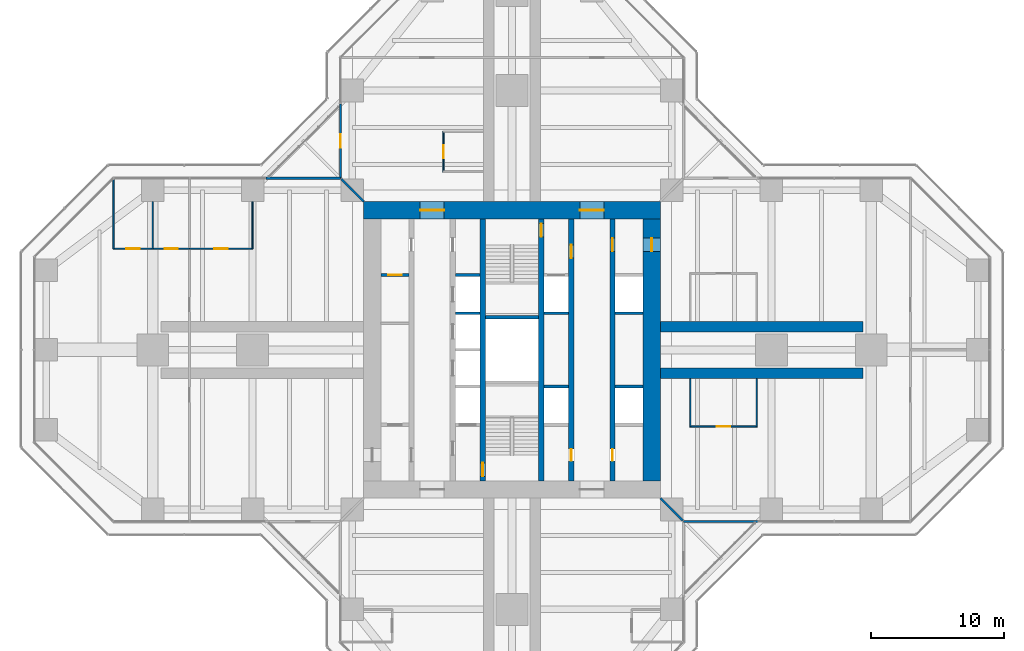
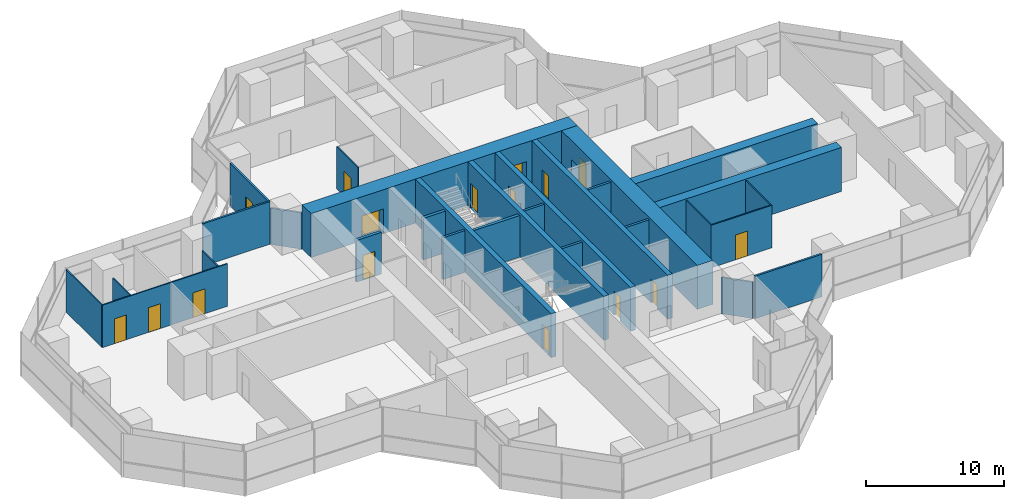
# One storey, part 16 of 19: 30 walls, 16 doors, 16 openings.
"""IFC4 building model written with IfcOpenShell, lengths in metres."""

import ifcopenshell
import ifcopenshell.guid

model = None  # the IFC model being written
_history = None  # IfcOwnerHistory: only IFC2X3 demands one
_inside = {}  # id of a spatial element -> (the spatial element, [elements in it])
_under = {}  # id of a project, library or spatial element -> (it, [spatial elements below it])
_declared = {}  # id of a project -> (the project, [libraries it declares])
_typed = {}  # id of a type object -> (the type object, [elements of that type])
_made_of = {}  # id of a material, layer set ... -> (it, [elements and type objects made of it])


def new_model(schema):
    """Start an empty IFC model of exactly this schema.

    Asked for "IFC4X3", IfcOpenShell would pick the latest addendum, in which some entities
    have other attributes; the version numbers below select the first issue.
    IFC2X3 requires an IfcOwnerHistory on every rooted entity: one is made here for all.
    """
    global model, _history
    if schema == "IFC4X3":
        model = ifcopenshell.file(schema_version=(4, 3, 0, 0))
    else:
        model = ifcopenshell.file(schema=schema)
    _inside.clear()
    _under.clear()
    _declared.clear()
    _typed.clear()
    _made_of.clear()
    _history = None
    if model.schema == "IFC2X3":
        org = make("IfcOrganization", Name="unknown")
        user = make(
            "IfcPersonAndOrganization",
            ThePerson=make("IfcPerson", FamilyName="unknown"),
            TheOrganization=org,
        )
        app = make(
            "IfcApplication",
            ApplicationDeveloper=org,
            Version="unknown",
            ApplicationFullName="unknown",
            ApplicationIdentifier="unknown",
        )
        _history = make(
            "IfcOwnerHistory",
            OwningUser=user,
            OwningApplication=app,
            ChangeAction="ADDED",
            CreationDate=0,
        )
    return model


def make(cls, **values):
    """One entity of the class cls with the attributes given. An attribute that is None is left unset."""
    return model.create_entity(
        cls, **{name: value for name, value in values.items() if value is not None}
    )


def rooted(cls, **values):
    """An entity with a GlobalId (a new one), such as an element, a storey or a relation."""
    return make(cls, GlobalId=ifcopenshell.guid.new(), OwnerHistory=_history, **values)


def si_unit(unit_type, name, prefix=None):
    """IfcSIUnit, for example si_unit("LENGTHUNIT", "METRE", prefix="MILLI")."""
    return make("IfcSIUnit", UnitType=unit_type, Prefix=prefix, Name=name)


def assignment(units):
    """IfcUnitAssignment: the units of a project."""
    return None if units is None else make("IfcUnitAssignment", Units=units)


def point(xyz):
    """IfcCartesianPoint."""
    return None if xyz is None else make("IfcCartesianPoint", Coordinates=xyz)


def direction(xyz):
    """IfcDirection."""
    return None if xyz is None else make("IfcDirection", DirectionRatios=xyz)


def frame(location, z_axis=None, x_axis=None):
    """IfcAxis2Placement3D, a coordinate frame: its origin and axes. An axis left out is left unset."""
    return make(
        "IfcAxis2Placement3D",
        Location=point(location),
        Axis=direction(z_axis),
        RefDirection=direction(x_axis),
    )


def frame_2d(location, x_axis=None):
    """IfcAxis2Placement2D, a coordinate frame in the plane: its origin and x axis."""
    return make(
        "IfcAxis2Placement2D", Location=point(location), RefDirection=direction(x_axis)
    )


def origin():
    """The frame at (0, 0, 0) with its axes left unset."""
    return frame((0.0, 0.0, 0.0))


def place(relative_to, where):
    """IfcLocalPlacement: puts the frame where relative to a parent placement (None: the world)."""
    return make(
        "IfcLocalPlacement", PlacementRelTo=relative_to, RelativePlacement=where
    )


def context(
    kind, dimensions, precision=None, world=None, true_north=None, identifier=None
):
    """IfcGeometricRepresentationContext, for example the 3D "Model" context."""
    return make(
        "IfcGeometricRepresentationContext",
        ContextIdentifier=identifier,
        ContextType=kind,
        CoordinateSpaceDimension=dimensions,
        Precision=precision,
        WorldCoordinateSystem=world,
        TrueNorth=true_north,
    )


def subcontext(parent, identifier, kind, view, scale=None):
    """IfcGeometricRepresentationSubContext, for example "Body" below "Model"."""
    return make(
        "IfcGeometricRepresentationSubContext",
        ContextIdentifier=identifier,
        ContextType=kind,
        ParentContext=parent,
        TargetScale=scale,
        TargetView=view,
    )


def project(units=None, contexts=None):
    """IfcProject with its units and contexts."""
    return rooted(
        "IfcProject",
        Name="project",
        RepresentationContexts=contexts,
        UnitsInContext=assignment(units),
    )


def spatial(cls, under=None, at=None, **own):
    """A site, building, storey or space (cls), placed at a placement, below another one or the project."""
    s = rooted(cls, ObjectPlacement=at, **own)
    if under is not None:
        _under.setdefault(under.id(), (under, []))[1].append(s)
    return s


def profile(cls, at=None, kind="AREA", **sizes):
    """A parametric profile (cls). Its sizes go by their IFC names, for example OverallWidth=200.0."""
    return make(cls, ProfileType=kind, Position=at, **sizes)


def rectangle(**sizes):
    """IfcRectangleProfileDef."""
    return profile("IfcRectangleProfileDef", **sizes)


def extrude(swept, where, along, depth):
    """IfcExtrudedAreaSolid: the profile swept, set in the frame where, extruded along a direction by depth."""
    return make(
        "IfcExtrudedAreaSolid",
        SweptArea=swept,
        Position=where,
        ExtrudedDirection=direction(along),
        Depth=depth,
    )


def shape(context_of_items, identifier, shape_type, items):
    """IfcShapeRepresentation: the items that make up one representation, for example the "Body"."""
    return make(
        "IfcShapeRepresentation",
        ContextOfItems=context_of_items,
        RepresentationIdentifier=identifier,
        RepresentationType=shape_type,
        Items=items,
    )


def material(Name=None, Category=None):
    """IfcMaterial."""
    return make("IfcMaterial", Name=Name, Category=Category)


def layer(
    of_material, thickness, ventilated=None, Name=None, Category=None, Priority=None
):
    """IfcMaterialLayer: one layer of a wall or slab, of a material (None: an air gap)."""
    return make(
        "IfcMaterialLayer",
        Material=of_material,
        LayerThickness=thickness,
        IsVentilated=ventilated,
        Name=Name,
        Category=Category,
        Priority=Priority,
    )


def layer_set(layers, Name=None):
    """IfcMaterialLayerSet."""
    return make("IfcMaterialLayerSet", MaterialLayers=layers, LayerSetName=Name)


def made_of(thing, what):
    """Note that an element or type object is made of a material, layer set ...; save() writes the relation."""
    if what is not None:
        _made_of.setdefault(what.id(), (what, []))[1].append(thing)
    return thing


def type_object(cls, material=None, **own):
    """A type object (cls), such as IfcWallType, which elements share."""
    return made_of(rooted(cls, **own), material)


def element(
    cls,
    number,
    at=None,
    inside=None,
    cuts=None,
    type_object=None,
    material=None,
    context=None,
    identifier="Body",
    shape_type=None,
    held_by="IfcProductDefinitionShape",
    body=None,
    shapes=None,
    **own,
):
    """One element of the class cls, such as IfcWall. Its Tag is "e" and its number.

    at: its placement. inside: the storey or other place that contains it. cuts: it is an
    opening in that element (IfcRelVoidsElement). A single representation is given by context,
    identifier, shape_type and body (its items); several are given by shapes. held_by: the class
    of the entity that holds the representations. save() writes the other relations.
    """
    e = rooted(cls, Tag="e%d" % number, ObjectPlacement=at, **own)
    if body is not None:
        shapes = [shape(context, identifier, shape_type, body)]
    if shapes is not None:
        e.Representation = make(held_by, Representations=shapes)
    if inside is not None:
        _inside.setdefault(inside.id(), (inside, []))[1].append(e)
    if cuts is not None:
        rooted(
            "IfcRelVoidsElement", RelatingBuildingElement=cuts, RelatedOpeningElement=e
        )
    if type_object is not None:
        _typed.setdefault(type_object.id(), (type_object, []))[1].append(e)
    return made_of(e, material)


def fill(opening, filler):
    """IfcRelFillsElement: the door or window that sits in an opening."""
    return rooted(
        "IfcRelFillsElement",
        RelatingOpeningElement=opening,
        RelatedBuildingElement=filler,
    )


def aggregate(whole, parts):
    """IfcRelAggregates: a whole, such as a stair, and the parts it consists of."""
    return rooted("IfcRelAggregates", RelatingObject=whole, RelatedObjects=parts)


def save(model, path):
    """Write the relations noted so far, then the file.

    IfcRelAggregates (storeys below a building ...), IfcRelContainedInSpatialStructure (elements
    in a storey), IfcRelDefinesByType, IfcRelAssociatesMaterial and IfcRelDeclares: one each for
    every whole, place, type object, material and project.
    """
    for whole, parts in _under.values():
        aggregate(whole, parts)
    for where, things in _inside.values():
        rooted(
            "IfcRelContainedInSpatialStructure",
            RelatedElements=things,
            RelatingStructure=where,
        )
    for kind, things in _typed.values():
        rooted("IfcRelDefinesByType", RelatedObjects=things, RelatingType=kind)
    for what, things in _made_of.values():
        rooted("IfcRelAssociatesMaterial", RelatedObjects=things, RelatingMaterial=what)
    for by, libraries in _declared.values():
        rooted("IfcRelDeclares", RelatingContext=by, RelatedDefinitions=libraries)
    model.write(path)


model = new_model("IFC4")

# Units and contexts
model_context = context("Model", 3, precision=1e-05, world=origin(), true_north=direction((0.0, 1.0)))
body_context = subcontext(model_context, "Body", "Model", "MODEL_VIEW")
ifc_project = project(units=[si_unit("LENGTHUNIT", "METRE"), si_unit("AREAUNIT", "SQUARE_METRE"), si_unit("VOLUMEUNIT", "CUBIC_METRE"), si_unit("PLANEANGLEUNIT", "RADIAN"), si_unit("MASSUNIT", "GRAM", prefix="KILO")], contexts=[model_context])

# Site, building, storey
site_placement = place(None, origin())
site = spatial("IfcSite", under=ifc_project, at=site_placement, CompositionType="ELEMENT")
building_placement = place(site_placement, origin())
building = spatial("IfcBuilding", under=site, at=building_placement, Name="Mizan Broadcast Tower", CompositionType="ELEMENT")
storey_placement = place(building_placement, frame((0.0, 0.0, 159.300048828125)))
storey = spatial("IfcBuildingStorey", under=building, at=storey_placement, Name="L36", CompositionType="ELEMENT", Elevation=159.300048828125)

# Wall, openings, doors
ifc_material_1 = material(Name="Concrete C70/85", Category="concrete")
ifc_layer_1 = layer(ifc_material_1, 0.39990234375)
ifc_layer_set_1 = layer_set([ifc_layer_1], Name="Concrete C70/85")
wall_type_1 = type_object("IfcWallType", Name="CORE INTERNAL WALL 400", PredefinedType="SHEAR", material=ifc_layer_set_1)
wall_1_placement = place(storey_placement, frame((7.550048828125, 9.85009765625, 0.0), z_axis=(0.0, 0.0, 1.0), x_axis=(0.0, -1.0, 0.0)))
wall_1 = element("IfcWall", 1, at=wall_1_placement, inside=storey, type_object=wall_type_1, Name="Core wall CORE/XW1E", PredefinedType="SHEAR", context=body_context, shape_type="SweptSolid", body=[
    extrude(rectangle(XDim=19.7001953125, YDim=0.39990234375, at=frame_2d((9.85009765625, 0.0))), origin(), (0.0, 0.0, 1.0), 3.89990234375),
])
opening_1_placement = place(wall_1_placement, frame((1.449951171875, 0.0, 0.0)))
opening_1 = element("IfcOpeningElement", 2, at=opening_1_placement, cuts=wall_1, Name="Opening D10F", PredefinedType="OPENING", context=body_context, shape_type="SweptSolid", body=[
    extrude(rectangle(XDim=1.0, YDim=2.199951171875, at=frame_2d((0.5, 1.10009765625))), frame((0.0, 0.2099609375, 0.0), z_axis=(0.0, -1.0, 0.0), x_axis=(1.0, 0.0, 0.0)), (0.0, 0.0, 1.0), 0.419921875),
])
opening_2_placement = place(wall_1_placement, frame((17.300048828125, 0.0, 0.0)))
opening_2 = element("IfcOpeningElement", 3, at=opening_2_placement, cuts=wall_1, Name="Opening D09", PredefinedType="OPENING", context=body_context, shape_type="SweptSolid", body=[
    extrude(rectangle(XDim=0.89990234375, YDim=2.10009765625, at=frame_2d((0.449951171875, 1.050048828125))), frame((0.0, 0.2099609375, 0.0), z_axis=(0.0, -1.0, 0.0), x_axis=(1.0, 0.0, 0.0)), (0.0, 0.0, 1.0), 0.419921875),
])
ifc_material_2 = material(Name="Steel door leaf in steel frame", Category="steel")
door_type_1 = type_object("IfcDoorType", Name="FIRE DOOR 1000 FD90", OperationType="SINGLE_SWING_LEFT", PredefinedType="DOOR", material=ifc_material_2)
door_1_placement = place(opening_1_placement, origin())
door_1 = element("IfcDoor", 4, at=door_1_placement, inside=storey, type_object=door_type_1, Name="East core passage door", OperationType="SINGLE_SWING_LEFT", OverallHeight=2.199951171875, OverallWidth=1.0, PredefinedType="DOOR", context=body_context, shape_type="SweptSolid", body=[
    extrude(rectangle(XDim=1.0, YDim=2.199951171875, at=frame_2d((0.5, 1.10009765625))), frame((0.0, 0.02490234375, 0.0), z_axis=(0.0, -1.0, 0.0), x_axis=(1.0, 0.0, 0.0)), (0.0, 0.0, 1.0), 0.050048828125),
])
fill(opening_1, door_1)
ifc_material_3 = material(Name="Timber door leaf in aluminium frame", Category="wood")
door_type_2 = type_object("IfcDoorType", Name="TOILET DOOR 900", OperationType="SINGLE_SWING_LEFT", PredefinedType="DOOR", material=ifc_material_3)
door_2_placement = place(opening_2_placement, origin())
door_2 = element("IfcDoor", 5, at=door_2_placement, inside=storey, type_object=door_type_2, Name="Female WC door", OperationType="SINGLE_SWING_RIGHT", OverallHeight=2.10009765625, OverallWidth=0.89990234375, PredefinedType="DOOR", context=body_context, shape_type="SweptSolid", body=[
    extrude(rectangle(XDim=0.89990234375, YDim=2.10009765625, at=frame_2d((0.449951171875, 1.050048828125))), frame((0.0, 0.02490234375, 0.0), z_axis=(0.0, -1.0, 0.0), x_axis=(1.0, 0.0, 0.0)), (0.0, 0.0, 1.0), 0.050048828125),
])
fill(opening_2, door_2)

wall_2_placement = place(storey_placement, frame((4.449951171875, 9.85009765625, 0.0), z_axis=(0.0, 0.0, 1.0), x_axis=(0.0, -1.0, 0.0)))
wall_2 = element("IfcWall", 6, at=wall_2_placement, inside=storey, type_object=wall_type_1, Name="Core wall CORE/XWHE", PredefinedType="SHEAR", context=body_context, shape_type="SweptSolid", body=[
    extrude(rectangle(XDim=19.7001953125, YDim=0.39990234375, at=frame_2d((9.85009765625, 0.0))), origin(), (0.0, 0.0, 1.0), 3.89990234375),
])
opening_3_placement = place(wall_2_placement, frame((1.949951171875, 0.0, 0.0)))
opening_3 = element("IfcOpeningElement", 7, at=opening_3_placement, cuts=wall_2, Name="Opening D10F", PredefinedType="OPENING", context=body_context, shape_type="SweptSolid", body=[
    extrude(rectangle(XDim=1.0, YDim=2.199951171875, at=frame_2d((0.5, 1.10009765625))), frame((0.0, 0.2099609375, 0.0), z_axis=(0.0, -1.0, 0.0), x_axis=(1.0, 0.0, 0.0)), (0.0, 0.0, 1.0), 0.419921875),
])
opening_4_placement = place(wall_2_placement, frame((17.300048828125, 0.0, 0.0)))
opening_4 = element("IfcOpeningElement", 8, at=opening_4_placement, cuts=wall_2, Name="Opening D09", PredefinedType="OPENING", context=body_context, shape_type="SweptSolid", body=[
    extrude(rectangle(XDim=0.89990234375, YDim=2.10009765625, at=frame_2d((0.449951171875, 1.050048828125))), frame((0.0, 0.2099609375, 0.0), z_axis=(0.0, -1.0, 0.0), x_axis=(1.0, 0.0, 0.0)), (0.0, 0.0, 1.0), 0.419921875),
])
door_3_placement = place(opening_3_placement, origin())
door_3 = element("IfcDoor", 9, at=door_3_placement, inside=storey, type_object=door_type_1, Name="Firefighting lobby B door", OperationType="SINGLE_SWING_LEFT", OverallHeight=2.199951171875, OverallWidth=1.0, PredefinedType="DOOR", context=body_context, shape_type="SweptSolid", body=[
    extrude(rectangle(XDim=1.0, YDim=2.199951171875, at=frame_2d((0.5, 1.10009765625))), frame((0.0, 0.02490234375, 0.0), z_axis=(0.0, -1.0, 0.0), x_axis=(1.0, 0.0, 0.0)), (0.0, 0.0, 1.0), 0.050048828125),
])
fill(opening_3, door_3)
door_4_placement = place(opening_4_placement, origin())
door_4 = element("IfcDoor", 10, at=door_4_placement, inside=storey, type_object=door_type_2, Name="Cleaner's store door", OperationType="SINGLE_SWING_RIGHT", OverallHeight=2.10009765625, OverallWidth=0.89990234375, PredefinedType="DOOR", context=body_context, shape_type="SweptSolid", body=[
    extrude(rectangle(XDim=0.89990234375, YDim=2.10009765625, at=frame_2d((0.449951171875, 1.050048828125))), frame((0.0, 0.02490234375, 0.0), z_axis=(0.0, -1.0, 0.0), x_axis=(1.0, 0.0, 0.0)), (0.0, 0.0, 1.0), 0.050048828125),
])
fill(opening_4, door_4)

# Wall, opening, door
wall_3_placement = place(storey_placement, frame((-2.199951171875, -9.85009765625, 0.0), z_axis=(0.0, 0.0, 1.0), x_axis=(0.0, 1.0, 0.0)))
wall_3 = element("IfcWall", 11, at=wall_3_placement, inside=storey, type_object=wall_type_1, Name="Core wall CORE/XW2", PredefinedType="SHEAR", context=body_context, shape_type="SweptSolid", body=[
    extrude(rectangle(XDim=19.7001953125, YDim=0.39990234375, at=frame_2d((9.85009765625, 0.0))), origin(), (0.0, 0.0, 1.0), 3.89990234375),
])
opening_5_placement = place(wall_3_placement, frame((0.35009765625, 0.0, 0.0)))
opening_5 = element("IfcOpeningElement", 12, at=opening_5_placement, cuts=wall_3, Name="Opening D10S", PredefinedType="OPENING", context=body_context, shape_type="SweptSolid", body=[
    extrude(rectangle(XDim=1.0, YDim=2.199951171875, at=frame_2d((0.5, 1.10009765625))), frame((0.0, 0.2099609375, 0.0), z_axis=(0.0, -1.0, 0.0), x_axis=(1.0, 0.0, 0.0)), (0.0, 0.0, 1.0), 0.419921875),
])
ifc_material_4 = material(Name="Steel door leaf in steel frame", Category="steel")
door_type_3 = type_object("IfcDoorType", Name="STAIR DOOR 1000 FD90S", OperationType="SINGLE_SWING_RIGHT", PredefinedType="DOOR", material=ifc_material_4)
door_5_placement = place(opening_5_placement, origin())
door_5 = element("IfcDoor", 13, at=door_5_placement, inside=storey, type_object=door_type_3, Name="Stair A door", OperationType="SINGLE_SWING_RIGHT", OverallHeight=2.199951171875, OverallWidth=1.0, PredefinedType="DOOR", context=body_context, shape_type="SweptSolid", body=[
    extrude(rectangle(XDim=1.0, YDim=2.199951171875, at=frame_2d((0.5, 1.10009765625))), frame((0.0, 0.02490234375, 0.0), z_axis=(0.0, -1.0, 0.0), x_axis=(1.0, 0.0, 0.0)), (0.0, 0.0, 1.0), 0.050048828125),
])
fill(opening_5, door_5)

wall_4_placement = place(storey_placement, frame((2.199951171875, 9.85009765625, 0.0), z_axis=(0.0, 0.0, 1.0), x_axis=(0.0, -1.0, 0.0)))
wall_4 = element("IfcWall", 14, at=wall_4_placement, inside=storey, type_object=wall_type_1, Name="Core wall CORE/XW2E", PredefinedType="SHEAR", context=body_context, shape_type="SweptSolid", body=[
    extrude(rectangle(XDim=19.7001953125, YDim=0.39990234375, at=frame_2d((9.85009765625, 0.0))), origin(), (0.0, 0.0, 1.0), 3.89990234375),
])
opening_6_placement = place(wall_4_placement, frame((0.35009765625, 0.0, 0.0)))
opening_6 = element("IfcOpeningElement", 15, at=opening_6_placement, cuts=wall_4, Name="Opening D10S", PredefinedType="OPENING", context=body_context, shape_type="SweptSolid", body=[
    extrude(rectangle(XDim=1.0, YDim=2.199951171875, at=frame_2d((0.5, 1.10009765625))), frame((0.0, 0.2099609375, 0.0), z_axis=(0.0, -1.0, 0.0), x_axis=(1.0, 0.0, 0.0)), (0.0, 0.0, 1.0), 0.419921875),
])
door_6_placement = place(opening_6_placement, origin())
door_6 = element("IfcDoor", 16, at=door_6_placement, inside=storey, type_object=door_type_3, Name="Stair B door", OperationType="SINGLE_SWING_RIGHT", OverallHeight=2.199951171875, OverallWidth=1.0, PredefinedType="DOOR", context=body_context, shape_type="SweptSolid", body=[
    extrude(rectangle(XDim=1.0, YDim=2.199951171875, at=frame_2d((0.5, 1.10009765625))), frame((0.0, 0.02490234375, 0.0), z_axis=(0.0, -1.0, 0.0), x_axis=(1.0, 0.0, 0.0)), (0.0, 0.0, 1.0), 0.050048828125),
])
fill(opening_6, door_6)

# Wall, openings, doors
ifc_material_5 = material(Name="Concrete C70/85", Category="concrete")
ifc_layer_2 = layer(ifc_material_5, 1.300048828125)
ifc_layer_set_2 = layer_set([ifc_layer_2], Name="Concrete C70/85")
wall_type_2 = type_object("IfcWallType", Name="CORE WALL 1300", PredefinedType="SHEAR", material=ifc_layer_set_2)
wall_5_placement = place(storey_placement, frame((-11.14990234375, 10.5, 0.0), z_axis=(0.0, 0.0, 1.0), x_axis=(1.0, 0.0, 0.0)))
wall_5 = element("IfcWall", 17, at=wall_5_placement, inside=storey, type_object=wall_type_2, Name="Core wall N L36", PredefinedType="SHEAR", context=body_context, shape_type="SweptSolid", body=[
    extrude(rectangle(XDim=22.2998046875, YDim=1.300048828125, at=frame_2d((11.14990234375, 0.0))), origin(), (0.0, 0.0, 1.0), 3.89990234375),
])
opening_7_placement = place(wall_5_placement, frame((4.25, 0.0, 0.0)))
opening_7 = element("IfcOpeningElement", 18, at=opening_7_placement, cuts=wall_5, Name="Opening D18F", PredefinedType="OPENING", context=body_context, shape_type="SweptSolid", body=[
    extrude(rectangle(XDim=1.800048828125, YDim=2.199951171875, at=frame_2d((0.89990234375, 1.10009765625))), frame((0.0, 0.659912109375, 0.0), z_axis=(0.0, -1.0, 0.0), x_axis=(1.0, 0.0, 0.0)), (0.0, 0.0, 1.0), 1.320068359375),
])
opening_8_placement = place(wall_5_placement, frame((16.25, 0.0, 0.0)))
opening_8 = element("IfcOpeningElement", 19, at=opening_8_placement, cuts=wall_5, Name="Opening D18F", PredefinedType="OPENING", context=body_context, shape_type="SweptSolid", body=[
    extrude(rectangle(XDim=1.800048828125, YDim=2.199951171875, at=frame_2d((0.89990234375, 1.10009765625))), frame((0.0, 0.659912109375, 0.0), z_axis=(0.0, -1.0, 0.0), x_axis=(1.0, 0.0, 0.0)), (0.0, 0.0, 1.0), 1.320068359375),
])
ifc_material_6 = material(Name="Steel door leaf in steel frame", Category="steel")
door_type_4 = type_object("IfcDoorType", Name="LOBBY DOUBLE DOOR 1800 FD90", OperationType="DOUBLE_DOOR_DOUBLE_SWING", PredefinedType="DOOR", material=ifc_material_6)
door_7_placement = place(opening_7_placement, origin())
door_7 = element("IfcDoor", 20, at=door_7_placement, inside=storey, type_object=door_type_4, Name="West lift lobby north door", OperationType="DOUBLE_DOOR_DOUBLE_SWING", OverallHeight=2.199951171875, OverallWidth=1.800048828125, PredefinedType="DOOR", context=body_context, shape_type="SweptSolid", body=[
    extrude(rectangle(XDim=1.800048828125, YDim=2.199951171875, at=frame_2d((0.89990234375, 1.10009765625))), frame((0.0, 0.02490234375, 0.0), z_axis=(0.0, -1.0, 0.0), x_axis=(1.0, 0.0, 0.0)), (0.0, 0.0, 1.0), 0.050048828125),
])
fill(opening_7, door_7)
door_8_placement = place(opening_8_placement, origin())
door_8 = element("IfcDoor", 21, at=door_8_placement, inside=storey, type_object=door_type_4, Name="East lift lobby north door", OperationType="DOUBLE_DOOR_DOUBLE_SWING", OverallHeight=2.199951171875, OverallWidth=1.800048828125, PredefinedType="DOOR", context=body_context, shape_type="SweptSolid", body=[
    extrude(rectangle(XDim=1.800048828125, YDim=2.199951171875, at=frame_2d((0.89990234375, 1.10009765625))), frame((0.0, 0.02490234375, 0.0), z_axis=(0.0, -1.0, 0.0), x_axis=(1.0, 0.0, 0.0)), (0.0, 0.0, 1.0), 0.050048828125),
])
fill(opening_8, door_8)

# Wall, opening, door
wall_6_placement = place(storey_placement, frame((10.5, -9.85009765625, 0.0), z_axis=(0.0, 0.0, 1.0), x_axis=(0.0, 1.0, 0.0)))
wall_6 = element("IfcWall", 22, at=wall_6_placement, inside=storey, type_object=wall_type_2, Name="Core wall E L36", PredefinedType="SHEAR", context=body_context, shape_type="SweptSolid", body=[
    extrude(rectangle(XDim=19.7001953125, YDim=1.300048828125, at=frame_2d((9.85009765625, 0.0))), origin(), (0.0, 0.0, 1.0), 3.89990234375),
])
opening_9_placement = place(wall_6_placement, frame((17.25, 0.0, 0.0)))
opening_9 = element("IfcOpeningElement", 23, at=opening_9_placement, cuts=wall_6, Name="Opening D10F", PredefinedType="OPENING", context=body_context, shape_type="SweptSolid", body=[
    extrude(rectangle(XDim=1.0, YDim=2.199951171875, at=frame_2d((0.5, 1.10009765625))), frame((0.0, 0.659912109375, 0.0), z_axis=(0.0, -1.0, 0.0), x_axis=(1.0, 0.0, 0.0)), (0.0, 0.0, 1.0), 1.320068359375),
])
door_9_placement = place(opening_9_placement, origin())
door_9 = element("IfcDoor", 24, at=door_9_placement, inside=storey, type_object=door_type_1, Name="East core passage arm door", OperationType="SINGLE_SWING_RIGHT", OverallHeight=2.199951171875, OverallWidth=1.0, PredefinedType="DOOR", context=body_context, shape_type="SweptSolid", body=[
    extrude(rectangle(XDim=1.0, YDim=2.199951171875, at=frame_2d((0.5, 1.10009765625))), frame((0.0, 0.02490234375, 0.0), z_axis=(0.0, -1.0, 0.0), x_axis=(1.0, 0.0, 0.0)), (0.0, 0.0, 1.0), 0.050048828125),
])
fill(opening_9, door_9)

# Wall
ifc_material_7 = material(Name="Aluminium framed glazed screen", Category="aluminium")
ifc_layer_3 = layer(ifc_material_7, 0.159912109375)
ifc_layer_set_3 = layer_set([ifc_layer_3], Name="Aluminium framed glazed screen")
wall_type_3 = type_object("IfcWallType", Name="GLAZED SCREEN WALL 160", PredefinedType="SOLIDWALL", material=ifc_layer_set_3)
wall_7_placement = place(storey_placement, frame((12.89990234375, -12.89990234375, 0.0), z_axis=(0.0, 0.0, 1.0), x_axis=(1.0, 0.0, 0.0)))
element("IfcWall", 25, at=wall_7_placement, inside=storey, type_object=wall_type_3, Name="Winter garden screen L36 E", PredefinedType="SOLIDWALL", context=body_context, shape_type="SweptSolid", body=[
    extrude(rectangle(XDim=5.60009765625, YDim=0.159912109375, at=frame_2d((2.800048828125, 0.0))), origin(), (0.0, 0.0, 1.0), 3.77001953125),
])

# Wall, opening, door
wall_8_placement = place(storey_placement, frame((-12.89990234375, 18.5, 0.0), z_axis=(0.0, 0.0, 1.0), x_axis=(0.0, -1.0, 0.0)))
wall_8 = element("IfcWall", 26, at=wall_8_placement, inside=storey, type_object=wall_type_3, Name="Winter garden screen L36 N", PredefinedType="SOLIDWALL", context=body_context, shape_type="SweptSolid", body=[
    extrude(rectangle(XDim=5.60009765625, YDim=0.159912109375, at=frame_2d((2.800048828125, 0.0))), origin(), (0.0, 0.0, 1.0), 3.77001953125),
])
opening_10_placement = place(wall_8_placement, frame((2.300048828125, 0.0, 0.0)))
opening_10 = element("IfcOpeningElement", 27, at=opening_10_placement, cuts=wall_8, Name="Opening WGD", PredefinedType="OPENING", context=body_context, shape_type="SweptSolid", body=[
    extrude(rectangle(XDim=1.0, YDim=2.199951171875, at=frame_2d((0.5, 1.10009765625))), frame((0.0, 0.08984375, 0.0), z_axis=(0.0, -1.0, 0.0), x_axis=(1.0, 0.0, 0.0)), (0.0, 0.0, 1.0), 0.179931640625),
])
ifc_material_8 = material(Name="Aluminium framed glazed door", Category="aluminium")
door_type_5 = type_object("IfcDoorType", Name="WINTER GARDEN DOOR 1000 GLAZED", OperationType="SINGLE_SWING_LEFT", PredefinedType="DOOR", material=ifc_material_8)
door_10_placement = place(opening_10_placement, origin())
door_10 = element("IfcDoor", 28, at=door_10_placement, inside=storey, type_object=door_type_5, Name="Winter garden door L36 N", OperationType="SINGLE_SWING_RIGHT", OverallHeight=2.199951171875, OverallWidth=1.0, PredefinedType="DOOR", context=body_context, shape_type="SweptSolid", body=[
    extrude(rectangle(XDim=1.0, YDim=2.199951171875, at=frame_2d((0.5, 1.10009765625))), frame((0.0, 0.02490234375, 0.0), z_axis=(0.0, -1.0, 0.0), x_axis=(1.0, 0.0, 0.0)), (0.0, 0.0, 1.0), 0.050048828125),
])
fill(opening_10, door_10)

# Walls
wall_9_placement = place(storey_placement, frame((-12.89990234375, 12.89990234375, 0.0), z_axis=(0.0, 0.0, 1.0), x_axis=(-1.0, 0.0, 0.0)))
element("IfcWall", 29, at=wall_9_placement, inside=storey, type_object=wall_type_3, Name="Winter garden screen L36 W", PredefinedType="SOLIDWALL", context=body_context, shape_type="SweptSolid", body=[
    extrude(rectangle(XDim=5.60009765625, YDim=0.159912109375, at=frame_2d((2.800048828125, 0.0))), origin(), (0.0, 0.0, 1.0), 3.77001953125),
])
ifc_material_9 = material(Name="Concrete blockwork", Category="masonry")
ifc_layer_4 = layer(ifc_material_9, 0.199951171875)
ifc_layer_set_4 = layer_set([ifc_layer_4], Name="Concrete blockwork")
wall_type_4 = type_object("IfcWallType", Name="LIFT SHAFT WALL 200", PredefinedType="SOLIDWALL", material=ifc_layer_set_4)
wall_10_placement = place(storey_placement, frame((2.39990234375, -2.75, 0.0), z_axis=(0.0, 0.0, 1.0), x_axis=(1.0, 0.0, 0.0)))
element("IfcWall", 30, at=wall_10_placement, inside=storey, type_object=wall_type_4, Name="Lift shaft wall CORE/SE2-1", PredefinedType="SOLIDWALL", context=body_context, shape_type="SweptSolid", body=[
    extrude(rectangle(XDim=1.85009765625, YDim=0.199951171875, at=frame_2d((0.925048828125, 0.0))), origin(), (0.0, 0.0, 1.0), 3.699951171875),
])
wall_11_placement = place(storey_placement, frame((7.75, -2.75, 0.0), z_axis=(0.0, 0.0, 1.0), x_axis=(1.0, 0.0, 0.0)))
element("IfcWall", 31, at=wall_11_placement, inside=storey, type_object=wall_type_4, Name="Lift shaft wall CORE/SE1-1", PredefinedType="SOLIDWALL", context=body_context, shape_type="SweptSolid", body=[
    extrude(rectangle(XDim=2.10009765625, YDim=0.199951171875, at=frame_2d((1.050048828125, 0.0))), origin(), (0.0, 0.0, 1.0), 3.699951171875),
])
for number, where, z_axis, x_axis, name in (
    (32, (-4.25, 2.75, 0.0), (0.0, 0.0, 1.0), (1.0, 0.0, 0.0), "Lift shaft wall CORE/SW2-3"),
    (33, (2.39990234375, 2.75, 0.0), (0.0, 0.0, 1.0), (1.0, 0.0, 0.0), "Lift shaft wall CORE/SE2-3"),
):
    element("IfcWall", number, at=place(storey_placement, frame(where, z_axis=z_axis, x_axis=x_axis)), inside=storey, type_object=wall_type_4, Name=name, PredefinedType="SOLIDWALL", context=body_context, shape_type="SweptSolid", body=[
        extrude(rectangle(XDim=1.85009765625, YDim=0.199951171875, at=frame_2d((0.925048828125, 0.0))), origin(), (0.0, 0.0, 1.0), 3.699951171875),
    ])
wall_12_placement = place(storey_placement, frame((7.75, 2.75, 0.0), z_axis=(0.0, 0.0, 1.0), x_axis=(1.0, 0.0, 0.0)))
element("IfcWall", 34, at=wall_12_placement, inside=storey, type_object=wall_type_4, Name="Lift shaft wall CORE/SE1-3", PredefinedType="SOLIDWALL", context=body_context, shape_type="SweptSolid", body=[
    extrude(rectangle(XDim=2.10009765625, YDim=0.199951171875, at=frame_2d((1.050048828125, 0.0))), origin(), (0.0, 0.0, 1.0), 3.699951171875),
])

# Wall, opening, door
ifc_material_10 = material(Name="Concrete blockwork", Category="masonry")
ifc_layer_5 = layer(ifc_material_10, 0.25)
ifc_layer_set_5 = layer_set([ifc_layer_5], Name="Concrete blockwork")
wall_type_5 = type_object("IfcWallType", Name="LOBBY ENCLOSURE WALL 250", PredefinedType="SOLIDWALL", material=ifc_layer_set_5)
wall_13_placement = place(storey_placement, frame((-9.85009765625, 5.625, 0.0), z_axis=(0.0, 0.0, 1.0), x_axis=(1.0, 0.0, 0.0)))
wall_13 = element("IfcWall", 35, at=wall_13_placement, inside=storey, type_object=wall_type_5, Name="Lobby enclosure wall CORE/BW1N", PredefinedType="SOLIDWALL", context=body_context, shape_type="SweptSolid", body=[
    extrude(rectangle(XDim=2.10009765625, YDim=0.25, at=frame_2d((1.050048828125, 0.0))), origin(), (0.0, 0.0, 1.0), 3.699951171875),
])
opening_11_placement = place(wall_13_placement, frame((0.550048828125, 0.0, 0.0)))
opening_11 = element("IfcOpeningElement", 36, at=opening_11_placement, cuts=wall_13, Name="Opening D10F", PredefinedType="OPENING", context=body_context, shape_type="SweptSolid", body=[
    extrude(rectangle(XDim=1.0, YDim=2.199951171875, at=frame_2d((0.5, 1.10009765625))), frame((0.0, 0.135009765625, 0.0), z_axis=(0.0, -1.0, 0.0), x_axis=(1.0, 0.0, 0.0)), (0.0, 0.0, 1.0), 0.27001953125),
])
door_11_placement = place(opening_11_placement, origin())
door_11 = element("IfcDoor", 37, at=door_11_placement, inside=storey, type_object=door_type_1, Name="Staff locker room door", OperationType="SINGLE_SWING_RIGHT", OverallHeight=2.199951171875, OverallWidth=1.0, PredefinedType="DOOR", context=body_context, shape_type="SweptSolid", body=[
    extrude(rectangle(XDim=1.0, YDim=2.199951171875, at=frame_2d((0.5, 1.10009765625))), frame((0.0, 0.02490234375, 0.0), z_axis=(0.0, -1.0, 0.0), x_axis=(1.0, 0.0, 0.0)), (0.0, 0.0, 1.0), 0.050048828125),
])
fill(opening_11, door_11)

# Walls
wall_14_placement = place(storey_placement, frame((-4.25, 5.625, 0.0), z_axis=(0.0, 0.0, 1.0), x_axis=(1.0, 0.0, 0.0)))
element("IfcWall", 38, at=wall_14_placement, inside=storey, type_object=wall_type_5, Name="Lobby enclosure wall CORE/BW2N", PredefinedType="SOLIDWALL", context=body_context, shape_type="SweptSolid", body=[
    extrude(rectangle(XDim=1.85009765625, YDim=0.25, at=frame_2d((0.925048828125, 0.0))), origin(), (0.0, 0.0, 1.0), 3.699951171875),
])
wall_15_placement = place(storey_placement, frame((-2.0, 2.449951171875, 0.0), z_axis=(0.0, 0.0, 1.0), x_axis=(1.0, 0.0, 0.0)))
element("IfcWall", 39, at=wall_15_placement, inside=storey, type_object=wall_type_5, Name="Lobby enclosure wall CORE/STB", PredefinedType="SOLIDWALL", context=body_context, shape_type="SweptSolid", body=[
    extrude(rectangle(XDim=4.0, YDim=0.25, at=frame_2d((2.0, 0.0))), origin(), (0.0, 0.0, 1.0), 3.699951171875),
])
ifc_material_11 = material(Name="Gypsum board on steel studs", Category="steel")
ifc_layer_6 = layer(ifc_material_11, 0.14990234375)
ifc_layer_set_6 = layer_set([ifc_layer_6], Name="Gypsum board on steel studs")
wall_type_6 = type_object("IfcWallType", Name="PARTITION 150", PredefinedType="PARTITIONING", material=ifc_layer_set_6)
for number, where, z_axis, x_axis, name in (
    (40, (-11.14990234375, 11.14990234375, 0.0), (0.0, 0.0, 1.0), (-0.707106781187, 0.707106781187, 0.0), "Partition PT/DGWN"),
    (41, (11.14990234375, -11.14990234375, 0.0), (0.0, 0.0, 1.0), (0.707106781187, -0.707106781187, 0.0), "Partition PT/DGES"),
):
    element("IfcWall", number, at=place(storey_placement, frame(where, z_axis=z_axis, x_axis=x_axis)), inside=storey, type_object=wall_type_6, Name=name, PredefinedType="PARTITIONING", context=body_context, shape_type="SweptSolid", body=[
        extrude(rectangle(XDim=2.362060546875, YDim=0.14990234375, at=frame_2d((1.18115234375, 0.0))), origin(), (0.0, 0.0, 1.0), 3.219970703125),
    ])
ifc_material_12 = material(Name="Glazed aluminium partition on aluminium track", Category="aluminium")
ifc_layer_7 = layer(ifc_material_12, 0.10009765625)
ifc_layer_set_7 = layer_set([ifc_layer_7], Name="Glazed aluminium partition on aluminium track")
wall_type_7 = type_object("IfcWallType", Name="PARTITION GLAZED OFFICE FRONT 100", PredefinedType="PARTITIONING", material=ifc_layer_set_7)
for number, where, z_axis, x_axis, name in (
    (42, (13.39990234375, -2.14990234375, 0.0), (0.0, 0.0, 1.0), (0.0, -1.0, 0.0), "Glazed office front PT/EKN0a"),
    (43, (18.39990234375, -2.14990234375, 0.0), (0.0, 0.0, 1.0), (0.0, -1.0, 0.0), "Glazed office front PT/EKN0b"),
):
    element("IfcWall", number, at=place(storey_placement, frame(where, z_axis=z_axis, x_axis=x_axis)), inside=storey, type_object=wall_type_7, Name=name, PredefinedType="PARTITIONING", context=body_context, shape_type="SweptSolid", body=[
        extrude(rectangle(XDim=3.60009765625, YDim=0.10009765625, at=frame_2d((1.800048828125, 0.0))), origin(), (0.0, 0.0, 1.0), 3.77001953125),
    ])

# Wall, opening, door
wall_16_placement = place(storey_placement, frame((13.35009765625, -5.75, 0.0), z_axis=(0.0, 0.0, 1.0), x_axis=(1.0, 0.0, 0.0)))
wall_16 = element("IfcWall", 44, at=wall_16_placement, inside=storey, type_object=wall_type_7, Name="Glazed office front PT/EKN0f", PredefinedType="PARTITIONING", context=body_context, shape_type="SweptSolid", body=[
    extrude(rectangle(XDim=5.099853515625, YDim=0.10009765625, at=frame_2d((2.5498046875, 0.0))), origin(), (0.0, 0.0, 1.0), 3.77001953125),
])
opening_12_placement = place(wall_16_placement, frame((2.050048828125, 0.0, 0.0)))
opening_12 = element("IfcOpeningElement", 45, at=opening_12_placement, cuts=wall_16, Name="Opening D10O", PredefinedType="OPENING", context=body_context, shape_type="SweptSolid", body=[
    extrude(rectangle(XDim=1.0, YDim=2.199951171875, at=frame_2d((0.5, 1.10009765625))), frame((0.0, 0.06005859375, 0.0), z_axis=(0.0, -1.0, 0.0), x_axis=(1.0, 0.0, 0.0)), (0.0, 0.0, 1.0), 0.1201171875),
])
ifc_material_13 = material(Name="Timber door leaf in aluminium frame", Category="wood")
door_type_6 = type_object("IfcDoorType", Name="OFFICE DOOR 1000 GLAZED", OperationType="SINGLE_SWING_LEFT", PredefinedType="DOOR", material=ifc_material_13)
door_12_placement = place(opening_12_placement, origin())
door_12 = element("IfcDoor", 46, at=door_12_placement, inside=storey, type_object=door_type_6, Name="Archive room door", OperationType="SINGLE_SWING_LEFT", OverallHeight=2.199951171875, OverallWidth=1.0, PredefinedType="DOOR", context=body_context, shape_type="SweptSolid", body=[
    extrude(rectangle(XDim=1.0, YDim=2.199951171875, at=frame_2d((0.5, 1.10009765625))), frame((0.0, 0.02490234375, 0.0), z_axis=(0.0, -1.0, 0.0), x_axis=(1.0, 0.0, 0.0)), (0.0, 0.0, 1.0), 0.050048828125),
])
fill(opening_12, door_12)

wall_17_placement = place(storey_placement, frame((-5.14990234375, 13.35009765625, 0.0), z_axis=(0.0, 0.0, 1.0), x_axis=(0.0, 1.0, 0.0)))
wall_17 = element("IfcWall", 47, at=wall_17_placement, inside=storey, type_object=wall_type_7, Name="Glazed office front PT/NKP0f", PredefinedType="PARTITIONING", context=body_context, shape_type="SweptSolid", body=[
    extrude(rectangle(XDim=3.099853515625, YDim=0.10009765625, at=frame_2d((1.5498046875, 0.0))), origin(), (0.0, 0.0, 1.0), 3.77001953125),
])
opening_13_placement = place(wall_17_placement, frame((1.050048828125, 0.0, 0.0)))
opening_13 = element("IfcOpeningElement", 48, at=opening_13_placement, cuts=wall_17, Name="Opening D10O", PredefinedType="OPENING", context=body_context, shape_type="SweptSolid", body=[
    extrude(rectangle(XDim=1.0, YDim=2.199951171875, at=frame_2d((0.5, 1.10009765625))), frame((0.0, 0.06005859375, 0.0), z_axis=(0.0, -1.0, 0.0), x_axis=(1.0, 0.0, 0.0)), (0.0, 0.0, 1.0), 0.1201171875),
])
door_13_placement = place(opening_13_placement, origin())
door_13 = element("IfcDoor", 49, at=door_13_placement, inside=storey, type_object=door_type_6, Name="Pantry door", OperationType="SINGLE_SWING_LEFT", OverallHeight=2.199951171875, OverallWidth=1.0, PredefinedType="DOOR", context=body_context, shape_type="SweptSolid", body=[
    extrude(rectangle(XDim=1.0, YDim=2.199951171875, at=frame_2d((0.5, 1.10009765625))), frame((0.0, 0.02490234375, 0.0), z_axis=(0.0, -1.0, 0.0), x_axis=(1.0, 0.0, 0.0)), (0.0, 0.0, 1.0), 0.050048828125),
])
fill(opening_13, door_13)

wall_18_placement = place(storey_placement, frame((-19.5, 7.60009765625, 0.0), z_axis=(0.0, 0.0, 1.0), x_axis=(-1.0, 0.0, 0.0)))
wall_18 = element("IfcWall", 50, at=wall_18_placement, inside=storey, type_object=wall_type_7, Name="Glazed office front PT/WCN0", PredefinedType="PARTITIONING", context=body_context, shape_type="SweptSolid", body=[
    extrude(rectangle(XDim=4.72900390625, YDim=0.10009765625, at=frame_2d((2.364501953125, 0.0))), origin(), (0.0, 0.0, 1.0), 3.77001953125),
])
opening_14_placement = place(wall_18_placement, frame((1.864501953125, 0.0, 0.0)))
opening_14 = element("IfcOpeningElement", 51, at=opening_14_placement, cuts=wall_18, Name="Opening D10O", PredefinedType="OPENING", context=body_context, shape_type="SweptSolid", body=[
    extrude(rectangle(XDim=1.0, YDim=2.199951171875, at=frame_2d((0.5, 1.10009765625))), frame((0.0, 0.06005859375, 0.0), z_axis=(0.0, -1.0, 0.0), x_axis=(1.0, 0.0, 0.0)), (0.0, 0.0, 1.0), 0.1201171875),
])
door_14_placement = place(opening_14_placement, origin())
door_14 = element("IfcDoor", 52, at=door_14_placement, inside=storey, type_object=door_type_6, Name="Archivist's office door", OperationType="SINGLE_SWING_LEFT", OverallHeight=2.199951171875, OverallWidth=1.0, PredefinedType="DOOR", context=body_context, shape_type="SweptSolid", body=[
    extrude(rectangle(XDim=1.0, YDim=2.199951171875, at=frame_2d((0.5, 1.10009765625))), frame((0.0, 0.02490234375, 0.0), z_axis=(0.0, -1.0, 0.0), x_axis=(1.0, 0.0, 0.0)), (0.0, 0.0, 1.0), 0.050048828125),
])
fill(opening_14, door_14)

# Wall, openings, doors
wall_19_placement = place(storey_placement, frame((-24.22900390625, 7.60009765625, 0.0), z_axis=(0.0, 0.0, 1.0), x_axis=(-1.0, 0.0, 0.0)))
wall_19 = element("IfcWall", 53, at=wall_19_placement, inside=storey, type_object=wall_type_7, Name="Glazed office front PT/WCN1", PredefinedType="PARTITIONING", context=body_context, shape_type="SweptSolid", body=[
    extrude(rectangle(XDim=5.72998046875, YDim=0.10009765625, at=frame_2d((2.864990234375, 0.0))), origin(), (0.0, 0.0, 1.0), 3.77001953125),
])
opening_15_placement = place(wall_19_placement, frame((0.885498046875, 0.0, 0.0)))
opening_15 = element("IfcOpeningElement", 54, at=opening_15_placement, cuts=wall_19, Name="Opening D10O", PredefinedType="OPENING", context=body_context, shape_type="SweptSolid", body=[
    extrude(rectangle(XDim=1.0, YDim=2.199951171875, at=frame_2d((0.5, 1.10009765625))), frame((0.0, 0.06005859375, 0.0), z_axis=(0.0, -1.0, 0.0), x_axis=(1.0, 0.0, 0.0)), (0.0, 0.0, 1.0), 0.1201171875),
])
opening_16_placement = place(wall_19_placement, frame((3.75048828125, 0.0, 0.0)))
opening_16 = element("IfcOpeningElement", 55, at=opening_16_placement, cuts=wall_19, Name="Opening D10O", PredefinedType="OPENING", context=body_context, shape_type="SweptSolid", body=[
    extrude(rectangle(XDim=1.0, YDim=2.199951171875, at=frame_2d((0.5, 1.10009765625))), frame((0.0, 0.06005859375, 0.0), z_axis=(0.0, -1.0, 0.0), x_axis=(1.0, 0.0, 0.0)), (0.0, 0.0, 1.0), 0.1201171875),
])
door_15_placement = place(opening_15_placement, origin())
door_15 = element("IfcDoor", 56, at=door_15_placement, inside=storey, type_object=door_type_6, Name="Archivist's office door", OperationType="SINGLE_SWING_LEFT", OverallHeight=2.199951171875, OverallWidth=1.0, PredefinedType="DOOR", context=body_context, shape_type="SweptSolid", body=[
    extrude(rectangle(XDim=1.0, YDim=2.199951171875, at=frame_2d((0.5, 1.10009765625))), frame((0.0, 0.02490234375, 0.0), z_axis=(0.0, -1.0, 0.0), x_axis=(1.0, 0.0, 0.0)), (0.0, 0.0, 1.0), 0.050048828125),
])
fill(opening_15, door_15)
door_16_placement = place(opening_16_placement, origin())
door_16 = element("IfcDoor", 57, at=door_16_placement, inside=storey, type_object=door_type_6, Name="Archivist's office door", OperationType="SINGLE_SWING_RIGHT", OverallHeight=2.199951171875, OverallWidth=1.0, PredefinedType="DOOR", context=body_context, shape_type="SweptSolid", body=[
    extrude(rectangle(XDim=1.0, YDim=2.199951171875, at=frame_2d((0.5, 1.10009765625))), frame((0.0, 0.02490234375, 0.0), z_axis=(0.0, -1.0, 0.0), x_axis=(1.0, 0.0, 0.0)), (0.0, 0.0, 1.0), 0.050048828125),
])
fill(opening_16, door_16)

# Walls
wall_20_placement = place(storey_placement, frame((-19.5, 7.60009765625, 0.0), z_axis=(0.0, 0.0, 1.0), x_axis=(0.0, 1.0, 0.0)))
element("IfcWall", 58, at=wall_20_placement, inside=storey, type_object=wall_type_7, Name="Glazed office front PT/WQN1950", PredefinedType="PARTITIONING", context=body_context, shape_type="SweptSolid", body=[
    extrude(rectangle(XDim=3.5498046875, YDim=0.10009765625, at=frame_2d((1.77490234375, 0.0))), origin(), (0.0, 0.0, 1.0), 2.77001953125),
])
wall_21_placement = place(storey_placement, frame((-27.0, 7.60009765625, 0.0), z_axis=(0.0, 0.0, 1.0), x_axis=(0.0, 1.0, 0.0)))
element("IfcWall", 59, at=wall_21_placement, inside=storey, type_object=wall_type_7, Name="Glazed office front PT/WQN2700", PredefinedType="PARTITIONING", context=body_context, shape_type="SweptSolid", body=[
    extrude(rectangle(XDim=3.5498046875, YDim=0.10009765625, at=frame_2d((1.77490234375, 0.0))), origin(), (0.0, 0.0, 1.0), 2.969970703125),
])
wall_22_placement = place(storey_placement, frame((-29.958984375, 7.60009765625, 0.0), z_axis=(0.0, 0.0, 1.0), x_axis=(0.0, 1.0, 0.0)))
element("IfcWall", 60, at=wall_22_placement, inside=storey, type_object=wall_type_7, Name="Glazed office front PT/WQN2996", PredefinedType="PARTITIONING", context=body_context, shape_type="SweptSolid", body=[
    extrude(rectangle(XDim=5.219970703125, YDim=0.10009765625, at=frame_2d((2.60986328125, 0.0))), origin(), (0.0, 0.0, 1.0), 3.77001953125),
])
ifc_material_14 = material(Name="Concrete C70/85", Category="concrete")
ifc_layer_8 = layer(ifc_material_14, 0.800048828125)
ifc_layer_set_8 = layer_set([ifc_layer_8], Name="Concrete C70/85")
wall_type_8 = type_object("IfcWallType", Name="SPINE WALL 800", PredefinedType="SHEAR", material=ifc_layer_set_8)
for number, where, z_axis, x_axis, name in (
    (61, (11.14990234375, -1.75, 0.0), (0.0, 0.0, 1.0), (1.0, 0.0, 0.0), "Spine wall ER L36"),
    (62, (11.14990234375, 1.75, 0.0), (0.0, 0.0, 1.0), (1.0, 0.0, 0.0), "Spine wall EL L36"),
):
    element("IfcWall", number, at=place(storey_placement, frame(where, z_axis=z_axis, x_axis=x_axis)), inside=storey, type_object=wall_type_8, Name=name, PredefinedType="SHEAR", context=body_context, shape_type="SweptSolid", body=[
        extrude(rectangle(XDim=15.25, YDim=0.800048828125, at=frame_2d((7.625, 0.0))), origin(), (0.0, 0.0, 1.0), 3.89990234375),
    ])

save(model, "model.ifc")
